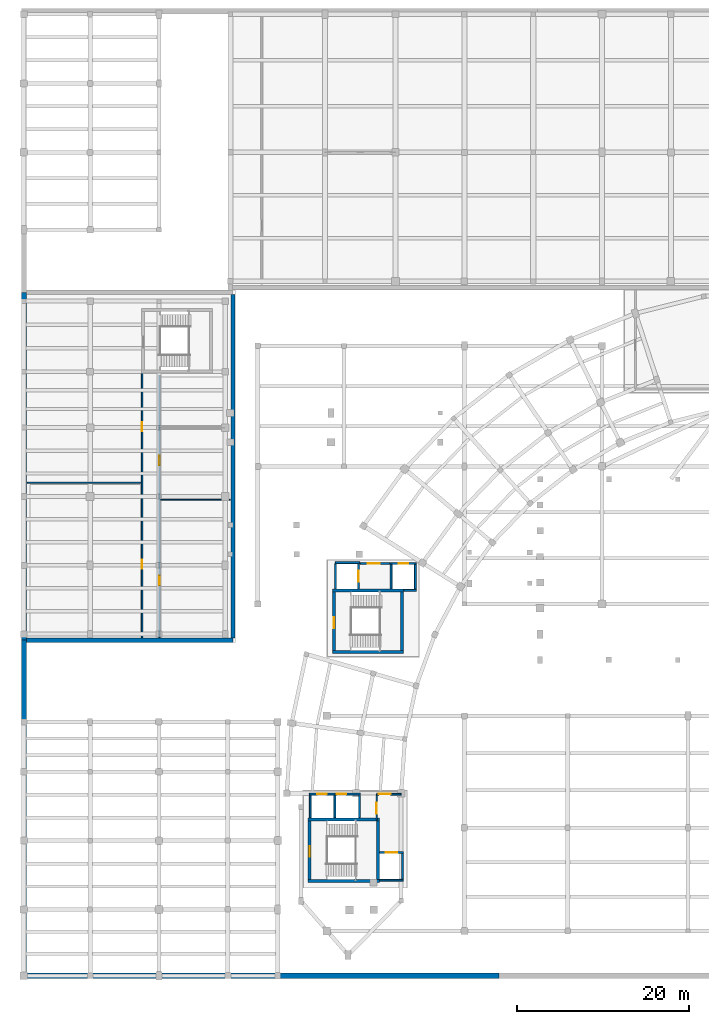
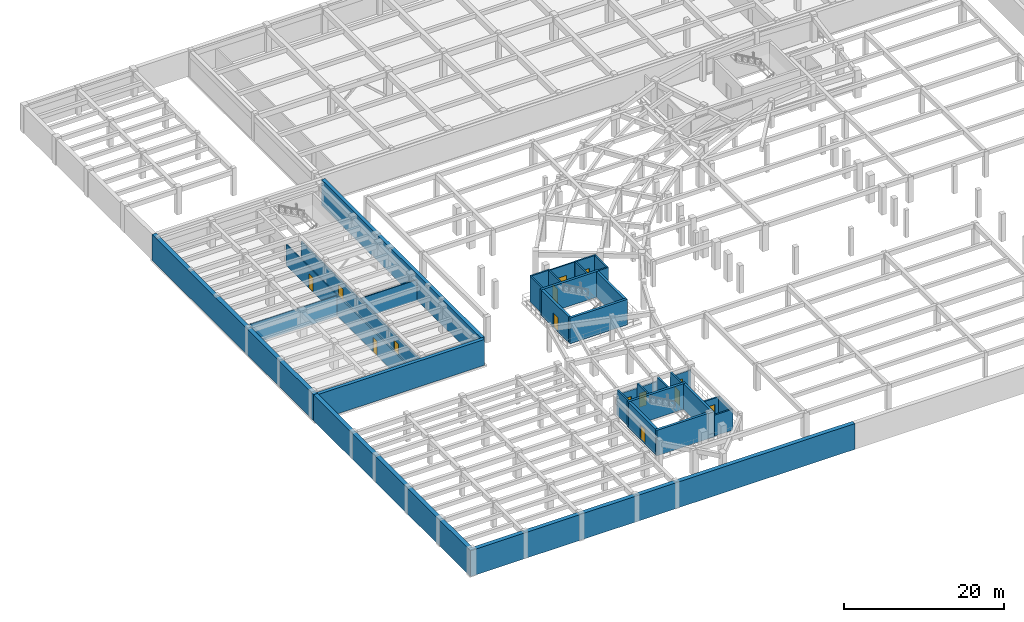
# One storey, part 21 of 35: 35 walls, 14 doors, 14 openings.
"""IFC4 building model written with IfcOpenShell, lengths in metres."""

from ifc_helpers import new_model, si_unit, direction, frame, frame_2d, origin, place, context, subcontext, project, spatial, rectangle, extrude, material, layer, layer_set, type_object, element, fill, save


model = new_model("IFC4")

# Units and contexts
model_context = context("Model", 3, precision=1e-05, world=origin(), true_north=direction((0.0, 1.0)))
body_context = subcontext(model_context, "Body", "Model", "MODEL_VIEW")
ifc_project = project(units=[si_unit("LENGTHUNIT", "METRE"), si_unit("AREAUNIT", "SQUARE_METRE"), si_unit("VOLUMEUNIT", "CUBIC_METRE"), si_unit("PLANEANGLEUNIT", "RADIAN"), si_unit("MASSUNIT", "GRAM", prefix="KILO"), si_unit("THERMODYNAMICTEMPERATUREUNIT", "KELVIN"), si_unit("POWERUNIT", "WATT")], contexts=[model_context])

# Site, building, storey
site_placement = place(None, origin())
site = spatial("IfcSite", under=ifc_project, at=site_placement, CompositionType="ELEMENT")
building_placement = place(site_placement, origin())
building = spatial("IfcBuilding", under=site, at=building_placement, Name="Solvatero Civic Police Headquarters", CompositionType="ELEMENT")
storey_placement = place(building_placement, frame((0.0, 0.0, -4.199951171875)))
storey = spatial("IfcBuildingStorey", under=building, at=storey_placement, Name="B01", CompositionType="ELEMENT", Elevation=-4.199951171875)

# Walls
ifc_material_1 = material(Name="Gypsum Double-Stud", Category="gypsum")
ifc_layer_1 = layer(ifc_material_1, 0.135009765625)
ifc_layer_set_1 = layer_set([ifc_layer_1], Name="Gypsum Double-Stud")
wall_type_1 = type_object("IfcWallType", Name="WL-PTN-135", PredefinedType="PARTITIONING", material=ifc_layer_set_1)
wall_1_placement = place(storey_placement, frame((5.199951171875, 62.10009765625, 0.0), z_axis=(0.0, 0.0, 1.0), x_axis=(1.0, 0.0, 0.0)))
element("IfcWall", 1, at=wall_1_placement, inside=storey, type_object=wall_type_1, Name="Interior Partition WLP-B01-EV-H1", PredefinedType="PARTITIONING", context=body_context, shape_type="SweptSolid", body=[
    extrude(rectangle(XDim=13.199951171875, YDim=0.135009765625, at=frame_2d((6.60009765625, 0.0))), origin(), (0.0, 0.0, 1.0), 3.137939453125),
])
wall_2_placement = place(storey_placement, frame((20.699951171875, 60.10009765625, 0.0), z_axis=(0.0, 0.0, 1.0), x_axis=(1.0, 0.0, 0.0)))
element("IfcWall", 2, at=wall_2_placement, inside=storey, type_object=wall_type_1, Name="Interior Partition WLP-B01-EV-H2", PredefinedType="PARTITIONING", context=body_context, shape_type="SweptSolid", body=[
    extrude(rectangle(XDim=8.10009765625, YDim=0.135009765625, at=frame_2d((4.050048828125, 0.0))), origin(), (0.0, 0.0, 1.0), 3.137939453125),
])

# Wall, openings, doors
ifc_material_2 = material(Name="Concrete Blockwork", Category="masonry")
ifc_layer_2 = layer(ifc_material_2, 0.1650390625)
ifc_layer_set_2 = layer_set([ifc_layer_2], Name="Concrete Blockwork")
wall_type_2 = type_object("IfcWallType", Name="WL-PTN-165", PredefinedType="PARTITIONING", material=ifc_layer_set_2)
wall_3_placement = place(storey_placement, frame((18.550048828125, 44.10009765625, 0.0), z_axis=(0.0, 0.0, 1.0), x_axis=(0.0, 1.0, 0.0)))
wall_3 = element("IfcWall", 3, at=wall_3_placement, inside=storey, type_object=wall_type_2, Name="Interior Partition WLP-B01-EV-W", PredefinedType="PARTITIONING", context=body_context, shape_type="SweptSolid", body=[
    extrude(rectangle(XDim=30.75, YDim=0.1650390625, at=frame_2d((15.375, 0.0))), origin(), (0.0, 0.0, 1.0), 3.18798828125),
])
opening_1_placement = place(wall_3_placement, frame((8.0, 0.0, 0.0)))
opening_1 = element("IfcOpeningElement", 4, at=opening_1_placement, cuts=wall_3, Name="Opening ID-06", PredefinedType="OPENING", context=body_context, shape_type="SweptSolid", body=[
    extrude(rectangle(XDim=1.02001953125, YDim=2.179931640625, at=frame_2d((0.510009765625, 1.08984375))), frame((0.0, 0.092529296875, 0.0), z_axis=(0.0, -1.0, 0.0), x_axis=(1.0, 0.0, 0.0)), (0.0, 0.0, 1.0), 0.18505859375),
])
opening_2_placement = place(wall_3_placement, frame((24.0, 0.0, 0.0)))
opening_2 = element("IfcOpeningElement", 5, at=opening_2_placement, cuts=wall_3, Name="Opening ID-07", PredefinedType="OPENING", context=body_context, shape_type="SweptSolid", body=[
    extrude(rectangle(XDim=1.050048828125, YDim=2.199951171875, at=frame_2d((0.52490234375, 1.10009765625))), frame((0.0, 0.092529296875, 0.0), z_axis=(0.0, -1.0, 0.0), x_axis=(1.0, 0.0, 0.0)), (0.0, 0.0, 1.0), 0.18505859375),
])
ifc_material_3 = material(Name="Powder-Coated Steel", Category="steel")
door_type_1 = type_object("IfcDoorType", Name="DR-LAB-102x218", OperationType="NOTDEFINED", PredefinedType="DOOR", material=ifc_material_3)
door_1_placement = place(opening_1_placement, origin())
door_1 = element("IfcDoor", 6, at=door_1_placement, inside=storey, type_object=door_type_1, Name="Interior Door DR-B01-EVIN", OperationType="SINGLE_SWING_LEFT", OverallHeight=2.179931640625, OverallWidth=1.02001953125, PredefinedType="DOOR", context=body_context, shape_type="SweptSolid", body=[
    extrude(rectangle(XDim=1.02001953125, YDim=2.179931640625, at=frame_2d((0.510009765625, 1.08984375))), frame((0.0, 0.02490234375, 0.0), z_axis=(0.0, -1.0, 0.0), x_axis=(1.0, 0.0, 0.0)), (0.0, 0.0, 1.0), 0.050048828125),
])
fill(opening_1, door_1)
door_type_2 = type_object("IfcDoorType", Name="DR-LAB-105x220", OperationType="NOTDEFINED", PredefinedType="DOOR", material=ifc_material_3)
door_2_placement = place(opening_2_placement, origin())
door_2 = element("IfcDoor", 7, at=door_2_placement, inside=storey, type_object=door_type_2, Name="Interior Door DR-B01-EVDR", OperationType="SINGLE_SWING_RIGHT", OverallHeight=2.199951171875, OverallWidth=1.050048828125, PredefinedType="DOOR", context=body_context, shape_type="SweptSolid", body=[
    extrude(rectangle(XDim=1.050048828125, YDim=2.199951171875, at=frame_2d((0.52490234375, 1.10009765625))), frame((0.0, 0.02490234375, 0.0), z_axis=(0.0, -1.0, 0.0), x_axis=(1.0, 0.0, 0.0)), (0.0, 0.0, 1.0), 0.050048828125),
])
fill(opening_2, door_2)

wall_4_placement = place(storey_placement, frame((20.550048828125, 44.10009765625, 0.0), z_axis=(0.0, 0.0, 1.0), x_axis=(0.0, 1.0, 0.0)))
wall_4 = element("IfcWall", 8, at=wall_4_placement, inside=storey, type_object=wall_type_2, Name="Interior Partition WLP-B01-EV-E", PredefinedType="PARTITIONING", context=body_context, shape_type="SweptSolid", body=[
    extrude(rectangle(XDim=30.5, YDim=0.1650390625, at=frame_2d((15.25, 0.0))), origin(), (0.0, 0.0, 1.0), 3.139892578125),
])
opening_3_placement = place(wall_4_placement, frame((6.10009765625, 0.0, 0.0)))
opening_3 = element("IfcOpeningElement", 9, at=opening_3_placement, cuts=wall_4, Name="Opening ID-08", PredefinedType="OPENING", context=body_context, shape_type="SweptSolid", body=[
    extrude(rectangle(XDim=1.080078125, YDim=2.219970703125, at=frame_2d((0.5400390625, 1.10986328125))), frame((0.0, 0.092529296875, 0.0), z_axis=(0.0, -1.0, 0.0), x_axis=(1.0, 0.0, 0.0)), (0.0, 0.0, 1.0), 0.18505859375),
])
opening_4_placement = place(wall_4_placement, frame((20.0, 0.0, 0.0)))
opening_4 = element("IfcOpeningElement", 10, at=opening_4_placement, cuts=wall_4, Name="Opening ID-09", PredefinedType="OPENING", context=body_context, shape_type="SweptSolid", body=[
    extrude(rectangle(XDim=1.1201171875, YDim=2.199951171875, at=frame_2d((0.56005859375, 1.10009765625))), frame((0.0, 0.092529296875, 0.0), z_axis=(0.0, -1.0, 0.0), x_axis=(1.0, 0.0, 0.0)), (0.0, 0.0, 1.0), 0.18505859375),
])
door_type_3 = type_object("IfcDoorType", Name="DR-LAB-108x222", OperationType="NOTDEFINED", PredefinedType="DOOR", material=ifc_material_3)
door_3_placement = place(opening_3_placement, origin())
door_3 = element("IfcDoor", 11, at=door_3_placement, inside=storey, type_object=door_type_3, Name="Interior Door DR-B01-ADIG", OperationType="SINGLE_SWING_LEFT", OverallHeight=2.219970703125, OverallWidth=1.080078125, PredefinedType="DOOR", context=body_context, shape_type="SweptSolid", body=[
    extrude(rectangle(XDim=1.080078125, YDim=2.219970703125, at=frame_2d((0.5400390625, 1.10986328125))), frame((0.0, 0.02490234375, 0.0), z_axis=(0.0, -1.0, 0.0), x_axis=(1.0, 0.0, 0.0)), (0.0, 0.0, 1.0), 0.050048828125),
])
fill(opening_3, door_3)
door_type_4 = type_object("IfcDoorType", Name="DR-PLT-112x220", OperationType="NOTDEFINED", PredefinedType="DOOR", material=ifc_material_3)
door_4_placement = place(opening_4_placement, origin())
door_4 = element("IfcDoor", 12, at=door_4_placement, inside=storey, type_object=door_type_4, Name="Interior Door DR-B01-UPS", OperationType="SINGLE_SWING_RIGHT", OverallHeight=2.199951171875, OverallWidth=1.1201171875, PredefinedType="DOOR", context=body_context, shape_type="SweptSolid", body=[
    extrude(rectangle(XDim=1.1201171875, YDim=2.199951171875, at=frame_2d((0.56005859375, 1.10009765625))), frame((0.0, 0.02490234375, 0.0), z_axis=(0.0, -1.0, 0.0), x_axis=(1.0, 0.0, 0.0)), (0.0, 0.0, 1.0), 0.050048828125),
])
fill(opening_4, door_4)

# Wall, opening, door
ifc_layer_3 = layer(ifc_material_2, 0.199951171875)
ifc_layer_set_3 = layer_set([ifc_layer_3], Name="Concrete Blockwork")
wall_type_3 = type_object("IfcWallType", Name="WL-PTN-200", PredefinedType="PARTITIONING", material=ifc_layer_set_3)
wall_5_placement = place(storey_placement, frame((45.800048828125, 22.89990234375, 0.0), z_axis=(0.0, 0.0, 1.0), x_axis=(0.0, 1.0, 0.0)))
wall_5 = element("IfcWall", 13, at=wall_5_placement, inside=storey, type_object=wall_type_3, Name="Interior Partition WLP-FFL-C1-B01-W", PredefinedType="PARTITIONING", context=body_context, shape_type="SweptSolid", body=[
    extrude(rectangle(XDim=3.0, YDim=0.199951171875, at=frame_2d((1.5, 0.0))), origin(), (0.0, 0.0, 1.0), 3.8798828125),
])
opening_5_placement = place(wall_5_placement, frame((0.75, 0.0, 0.0)))
opening_5 = element("IfcOpeningElement", 14, at=opening_5_placement, cuts=wall_5, Name="Opening FD-01", PredefinedType="OPENING", context=body_context, shape_type="SweptSolid", body=[
    extrude(rectangle(XDim=1.25, YDim=2.199951171875, at=frame_2d((0.625, 1.10009765625))), frame((0.0, 0.10986328125, 0.0), z_axis=(0.0, -1.0, 0.0), x_axis=(1.0, 0.0, 0.0)), (0.0, 0.0, 1.0), 0.219970703125),
])
door_type_5 = type_object("IfcDoorType", Name="DR-STR-125x220", OperationType="NOTDEFINED", PredefinedType="DOOR", material=ifc_material_3)
door_5_placement = place(opening_5_placement, origin())
door_5 = element("IfcDoor", 15, at=door_5_placement, inside=storey, type_object=door_type_5, Name="Interior Door DR-FFL-C1-B01-W", OperationType="SINGLE_SWING_LEFT", OverallHeight=2.199951171875, OverallWidth=1.25, PredefinedType="DOOR", context=body_context, shape_type="SweptSolid", body=[
    extrude(rectangle(XDim=1.25, YDim=2.199951171875, at=frame_2d((0.625, 1.10009765625))), frame((0.0, 0.02490234375, 0.0), z_axis=(0.0, -1.0, 0.0), x_axis=(1.0, 0.0, 0.0)), (0.0, 0.0, 1.0), 0.050048828125),
])
fill(opening_5, door_5)

wall_6_placement = place(storey_placement, frame((45.800048828125, 25.89990234375, 0.0), z_axis=(0.0, 0.0, 1.0), x_axis=(1.0, 0.0, 0.0)))
wall_6 = element("IfcWall", 16, at=wall_6_placement, inside=storey, type_object=wall_type_3, Name="Interior Partition WLP-FFL-C1-B01-N", PredefinedType="PARTITIONING", context=body_context, shape_type="SweptSolid", body=[
    extrude(rectangle(XDim=2.849853515625, YDim=0.199951171875, at=frame_2d((1.4248046875, 0.0))), origin(), (0.0, 0.0, 1.0), 3.18994140625),
])
opening_6_placement = place(wall_6_placement, frame((0.25, 0.0, 0.0)))
opening_6 = element("IfcOpeningElement", 17, at=opening_6_placement, cuts=wall_6, Name="Opening FD-02", PredefinedType="OPENING", context=body_context, shape_type="SweptSolid", body=[
    extrude(rectangle(XDim=1.39990234375, YDim=2.25, at=frame_2d((0.699951171875, 1.125))), frame((0.0, 0.10986328125, 0.0), z_axis=(0.0, -1.0, 0.0), x_axis=(1.0, 0.0, 0.0)), (0.0, 0.0, 1.0), 0.219970703125),
])
door_type_6 = type_object("IfcDoorType", Name="DR-LOB-140x225", OperationType="NOTDEFINED", PredefinedType="DOOR", material=ifc_material_3)
door_6_placement = place(opening_6_placement, origin())
door_6 = element("IfcDoor", 18, at=door_6_placement, inside=storey, type_object=door_type_6, Name="Interior Door DR-FFL-C1-B01-ACC", OperationType="DOUBLE_DOOR_SINGLE_SWING", OverallHeight=2.25, OverallWidth=1.39990234375, PredefinedType="DOOR", context=body_context, shape_type="SweptSolid", body=[
    extrude(rectangle(XDim=1.39990234375, YDim=2.25, at=frame_2d((0.699951171875, 1.125))), frame((0.0, 0.02490234375, 0.0), z_axis=(0.0, -1.0, 0.0), x_axis=(1.0, 0.0, 0.0)), (0.0, 0.0, 1.0), 0.050048828125),
])
fill(opening_6, door_6)

wall_7_placement = place(storey_placement, frame((43.89990234375, 52.699951171875, 0.0), z_axis=(0.0, 0.0, 1.0), x_axis=(1.0, 0.0, 0.0)))
wall_7 = element("IfcWall", 19, at=wall_7_placement, inside=storey, type_object=wall_type_3, Name="Interior Partition WLP-FFL-C2-B01-N", PredefinedType="PARTITIONING", context=body_context, shape_type="SweptSolid", body=[
    extrude(rectangle(XDim=3.400146484375, YDim=0.199951171875, at=frame_2d((1.7001953125, 0.0))), origin(), (0.0, 0.0, 1.0), 3.8798828125),
])
opening_7_placement = place(wall_7_placement, frame((0.85009765625, 0.0, 0.0)))
opening_7 = element("IfcOpeningElement", 20, at=opening_7_placement, cuts=wall_7, Name="Opening FD-02", PredefinedType="OPENING", context=body_context, shape_type="SweptSolid", body=[
    extrude(rectangle(XDim=1.39990234375, YDim=2.25, at=frame_2d((0.699951171875, 1.125))), frame((0.0, 0.10986328125, 0.0), z_axis=(0.0, -1.0, 0.0), x_axis=(1.0, 0.0, 0.0)), (0.0, 0.0, 1.0), 0.219970703125),
])
door_7_placement = place(opening_7_placement, origin())
door_7 = element("IfcDoor", 21, at=door_7_placement, inside=storey, type_object=door_type_6, Name="Interior Door DR-FFL-C2-B01-ACC", OperationType="DOUBLE_DOOR_SINGLE_SWING", OverallHeight=2.25, OverallWidth=1.39990234375, PredefinedType="DOOR", context=body_context, shape_type="SweptSolid", body=[
    extrude(rectangle(XDim=1.39990234375, YDim=2.25, at=frame_2d((0.699951171875, 1.125))), frame((0.0, 0.02490234375, 0.0), z_axis=(0.0, -1.0, 0.0), x_axis=(1.0, 0.0, 0.0)), (0.0, 0.0, 1.0), 0.050048828125),
])
fill(opening_7, door_7)

# Walls
ifc_material_4 = material(Name="Concrete C35/45", Category="concrete")
ifc_layer_4 = layer(ifc_material_4, 0.5)
ifc_layer_set_4 = layer_set([ifc_layer_4], Name="Concrete C35/45")
wall_type_4 = type_object("IfcWallType", Name="WL-RET-500", PredefinedType="USERDEFINED", material=ifc_layer_set_4)
wall_8_placement = place(storey_placement, frame((5.10009765625, 43.800048828125, 0.0), z_axis=(0.0, 0.0, 1.0), x_axis=(1.0, 0.0, 0.0)))
element("IfcWall", 22, at=wall_8_placement, inside=storey, type_object=wall_type_4, Name="B01 Watertight Tanked Retaining Wall RW-INT-WS", ObjectType="RETAINING WALL", PredefinedType="USERDEFINED", context=body_context, shape_type="SweptSolid", body=[
    extrude(rectangle(XDim=24.0, YDim=0.5, at=frame_2d((12.0, 0.0))), origin(), (0.0, 0.0, 1.0), 3.93994140625),
])
wall_9_placement = place(storey_placement, frame((29.10009765625, 44.050048828125, 0.0), z_axis=(0.0, 0.0, 1.0), x_axis=(0.0, 1.0, 0.0)))
element("IfcWall", 23, at=wall_9_placement, inside=storey, type_object=wall_type_4, Name="B01 Watertight Tanked Retaining Wall RW-INT-WE", ObjectType="RETAINING WALL", PredefinedType="USERDEFINED", context=body_context, shape_type="SweptSolid", body=[
    extrude(rectangle(XDim=39.89990234375, YDim=0.5, at=frame_2d((19.949951171875, 0.0))), origin(), (0.0, 0.0, 1.0), 3.93994140625),
])
ifc_layer_5 = layer(ifc_material_4, 0.60009765625)
ifc_layer_set_5 = layer_set([ifc_layer_5], Name="Concrete C35/45")
wall_type_5 = type_object("IfcWallType", Name="WL-RET-600", PredefinedType="USERDEFINED", material=ifc_layer_set_5)
wall_10_placement = place(storey_placement, frame((4.5, 4.800048828125, 0.0), z_axis=(0.0, 0.0, 1.0), x_axis=(1.0, 0.0, 0.0)))
element("IfcWall", 24, at=wall_10_placement, inside=storey, type_object=wall_type_5, Name="B01 Watertight Tanked Retaining Wall RW-PERIM-S1", ObjectType="RETAINING WALL", PredefinedType="USERDEFINED", context=body_context, shape_type="SweptSolid", body=[
    extrude(rectangle(XDim=55.5, YDim=0.60009765625, at=frame_2d((27.75, 0.0))), origin(), (0.0, 0.0, 1.0), 3.93994140625),
])
wall_11_placement = place(storey_placement, frame((4.800048828125, 5.10009765625, 0.0), z_axis=(0.0, 0.0, 1.0), x_axis=(0.0, 1.0, 0.0)))
element("IfcWall", 25, at=wall_11_placement, inside=storey, type_object=wall_type_5, Name="B01 Watertight Tanked Retaining Wall RW-PERIM-W1", ObjectType="RETAINING WALL", PredefinedType="USERDEFINED", context=body_context, shape_type="SweptSolid", body=[
    extrude(rectangle(XDim=38.699951171875, YDim=0.60009765625, at=frame_2d((19.35009765625, 0.0))), origin(), (0.0, 0.0, 1.0), 3.93994140625),
])
wall_12_placement = place(storey_placement, frame((4.800048828125, 43.800048828125, 0.0), z_axis=(0.0, 0.0, 1.0), x_axis=(0.0, 1.0, 0.0)))
element("IfcWall", 26, at=wall_12_placement, inside=storey, type_object=wall_type_5, Name="B01 Watertight Tanked Retaining Wall RW-PERIM-WW", ObjectType="RETAINING WALL", PredefinedType="USERDEFINED", context=body_context, shape_type="SweptSolid", body=[
    extrude(rectangle(XDim=40.39990234375, YDim=0.60009765625, at=frame_2d((20.199951171875, 0.0))), origin(), (0.0, 0.0, 1.0), 3.93994140625),
])
ifc_layer_6 = layer(ifc_material_4, 0.219970703125)
ifc_layer_set_6 = layer_set([ifc_layer_6], Name="Concrete C35/45")
wall_type_6 = type_object("IfcWallType", Name="WL-SHF-220", PredefinedType="PARTITIONING", material=ifc_layer_set_6)
wall_13_placement = place(storey_placement, frame((46.159912109375, 15.889892578125, 0.0), z_axis=(0.0, 0.0, 1.0), x_axis=(1.0, 0.0, 0.0)))
element("IfcWall", 27, at=wall_13_placement, inside=storey, type_object=wall_type_6, Name="Lift Shaft Wall WLS-FL-01-B01-S", PredefinedType="PARTITIONING", context=body_context, shape_type="SweptSolid", body=[
    extrude(rectangle(XDim=2.760009765625, YDim=0.219970703125, at=frame_2d((1.3798828125, 0.0))), origin(), (0.0, 0.0, 1.0), 3.18798828125),
])

# Wall, opening, door
wall_14_placement = place(storey_placement, frame((46.159912109375, 19.110107421875, 0.0), z_axis=(0.0, 0.0, 1.0), x_axis=(1.0, 0.0, 0.0)))
wall_14 = element("IfcWall", 28, at=wall_14_placement, inside=storey, type_object=wall_type_6, Name="Lift Shaft Wall WLS-FL-01-B01-N", PredefinedType="PARTITIONING", context=body_context, shape_type="SweptSolid", body=[
    extrude(rectangle(XDim=2.760009765625, YDim=0.219970703125, at=frame_2d((1.3798828125, 0.0))), origin(), (0.0, 0.0, 1.0), 3.18798828125),
])
opening_8_placement = place(wall_14_placement, frame((0.72998046875, 0.0, 0.0)))
opening_8 = element("IfcOpeningElement", 29, at=opening_8_placement, cuts=wall_14, Name="Opening LD-02", PredefinedType="OPENING", context=body_context, shape_type="SweptSolid", body=[
    extrude(rectangle(XDim=1.300048828125, YDim=2.199951171875, at=frame_2d((0.64990234375, 1.10009765625))), frame((0.0, 0.119873046875, 0.0), z_axis=(0.0, -1.0, 0.0), x_axis=(1.0, 0.0, 0.0)), (0.0, 0.0, 1.0), 0.239990234375),
])
ifc_material_5 = material(Name="Stainless Steel Grade 316", Category="steel")
door_type_7 = type_object("IfcDoorType", Name="DR-LFT-130x220", OperationType="DOUBLE_DOOR_SLIDING", PredefinedType="DOOR", material=ifc_material_5)
door_8_placement = place(opening_8_placement, origin())
door_8 = element("IfcDoor", 30, at=door_8_placement, inside=storey, type_object=door_type_7, Name="Interior Door DR-LFT-FL-01-B01", OperationType="DOUBLE_DOOR_SLIDING", OverallHeight=2.199951171875, OverallWidth=1.300048828125, PredefinedType="DOOR", context=body_context, shape_type="SweptSolid", body=[
    extrude(rectangle(XDim=1.300048828125, YDim=2.199951171875, at=frame_2d((0.64990234375, 1.10009765625))), frame((0.0, 0.02490234375, 0.0), z_axis=(0.0, -1.0, 0.0), x_axis=(1.0, 0.0, 0.0)), (0.0, 0.0, 1.0), 0.050048828125),
])
fill(opening_8, door_8)

# Wall
wall_15_placement = place(storey_placement, frame((48.81005859375, 16.0, 0.0), z_axis=(0.0, 0.0, 1.0), x_axis=(0.0, 1.0, 0.0)))
element("IfcWall", 31, at=wall_15_placement, inside=storey, type_object=wall_type_6, Name="Lift Shaft Wall WLS-FL-01-B01-E", PredefinedType="PARTITIONING", context=body_context, shape_type="SweptSolid", body=[
    extrude(rectangle(XDim=3.0, YDim=0.219970703125, at=frame_2d((1.5, 0.0))), origin(), (0.0, 0.0, 1.0), 3.18994140625),
])

# Wall, opening, door
wall_16_placement = place(storey_placement, frame((37.97998046875, 25.909912109375, 0.0), z_axis=(0.0, 0.0, 1.0), x_axis=(1.0, 0.0, 0.0)))
wall_16 = element("IfcWall", 32, at=wall_16_placement, inside=storey, type_object=wall_type_6, Name="Lift Shaft Wall WLS-LP-01-B01-N", PredefinedType="PARTITIONING", context=body_context, shape_type="SweptSolid", body=[
    extrude(rectangle(XDim=2.969970703125, YDim=0.219970703125, at=frame_2d((1.48486328125, 0.0))), origin(), (0.0, 0.0, 1.0), 3.139892578125),
])
opening_9_placement = place(wall_16_placement, frame((0.93505859375, 0.0, 0.0)))
opening_9 = element("IfcOpeningElement", 33, at=opening_9_placement, cuts=wall_16, Name="Opening LD-01", PredefinedType="OPENING", context=body_context, shape_type="SweptSolid", body=[
    extrude(rectangle(XDim=1.10009765625, YDim=2.14990234375, at=frame_2d((0.550048828125, 1.074951171875))), frame((0.0, 0.119873046875, 0.0), z_axis=(0.0, -1.0, 0.0), x_axis=(1.0, 0.0, 0.0)), (0.0, 0.0, 1.0), 0.239990234375),
])
door_type_8 = type_object("IfcDoorType", Name="DR-LFT-110x215", OperationType="DOUBLE_DOOR_SLIDING", PredefinedType="DOOR", material=ifc_material_5)
door_9_placement = place(opening_9_placement, origin())
door_9 = element("IfcDoor", 34, at=door_9_placement, inside=storey, type_object=door_type_8, Name="Interior Door DR-LFT-LP-01-B01", OperationType="DOUBLE_DOOR_SLIDING", OverallHeight=2.14990234375, OverallWidth=1.10009765625, PredefinedType="DOOR", context=body_context, shape_type="SweptSolid", body=[
    extrude(rectangle(XDim=1.10009765625, YDim=2.14990234375, at=frame_2d((0.550048828125, 1.074951171875))), frame((0.0, 0.02490234375, 0.0), z_axis=(0.0, -1.0, 0.0), x_axis=(1.0, 0.0, 0.0)), (0.0, 0.0, 1.0), 0.050048828125),
])
fill(opening_9, door_9)

# Walls
for number, where, z_axis, x_axis, name in (
    (35, (38.090087890625, 23.159912109375, 0.0), (0.0, 0.0, 1.0), (0.0, 1.0, 0.0), "Lift Shaft Wall WLS-LP-01-B01-W"),
    (36, (40.949951171875, 23.159912109375, 0.0), (0.0, 0.0, 1.0), (0.0, 1.0, 0.0), "Lift Shaft Wall WLS-LP-01-B01-E"),
):
    element("IfcWall", number, at=place(storey_placement, frame(where, z_axis=z_axis, x_axis=x_axis)), inside=storey, type_object=wall_type_6, Name=name, PredefinedType="PARTITIONING", context=body_context, shape_type="SweptSolid", body=[
        extrude(rectangle(XDim=2.64013671875, YDim=0.219970703125, at=frame_2d((1.320068359375, 0.0))), origin(), (0.0, 0.0, 1.0), 3.8798828125),
    ])

# Wall, opening, door
wall_17_placement = place(storey_placement, frame((40.949951171875, 25.909912109375, 0.0), z_axis=(0.0, 0.0, 1.0), x_axis=(1.0, 0.0, 0.0)))
wall_17 = element("IfcWall", 37, at=wall_17_placement, inside=storey, type_object=wall_type_6, Name="Lift Shaft Wall WLS-LP-02-B01-N", PredefinedType="PARTITIONING", context=body_context, shape_type="SweptSolid", body=[
    extrude(rectangle(XDim=2.969970703125, YDim=0.219970703125, at=frame_2d((1.48486328125, 0.0))), origin(), (0.0, 0.0, 1.0), 3.139892578125),
])
opening_10_placement = place(wall_17_placement, frame((0.239990234375, 0.0, 0.0)))
opening_10 = element("IfcOpeningElement", 38, at=opening_10_placement, cuts=wall_17, Name="Opening LD-01", PredefinedType="OPENING", context=body_context, shape_type="SweptSolid", body=[
    extrude(rectangle(XDim=1.10009765625, YDim=2.14990234375, at=frame_2d((0.550048828125, 1.074951171875))), frame((0.0, 0.119873046875, 0.0), z_axis=(0.0, -1.0, 0.0), x_axis=(1.0, 0.0, 0.0)), (0.0, 0.0, 1.0), 0.239990234375),
])
door_10_placement = place(opening_10_placement, origin())
door_10 = element("IfcDoor", 39, at=door_10_placement, inside=storey, type_object=door_type_8, Name="Interior Door DR-LFT-LP-02-B01", OperationType="DOUBLE_DOOR_SLIDING", OverallHeight=2.14990234375, OverallWidth=1.10009765625, PredefinedType="DOOR", context=body_context, shape_type="SweptSolid", body=[
    extrude(rectangle(XDim=1.10009765625, YDim=2.14990234375, at=frame_2d((0.550048828125, 1.074951171875))), frame((0.0, 0.02490234375, 0.0), z_axis=(0.0, -1.0, 0.0), x_axis=(1.0, 0.0, 0.0)), (0.0, 0.0, 1.0), 0.050048828125),
])
fill(opening_10, door_10)

# Walls
wall_18_placement = place(storey_placement, frame((43.81005859375, 23.159912109375, 0.0), z_axis=(0.0, 0.0, 1.0), x_axis=(0.0, 1.0, 0.0)))
element("IfcWall", 40, at=wall_18_placement, inside=storey, type_object=wall_type_6, Name="Lift Shaft Wall WLS-LP-02-B01-E", PredefinedType="PARTITIONING", context=body_context, shape_type="SweptSolid", body=[
    extrude(rectangle(XDim=2.64013671875, YDim=0.219970703125, at=frame_2d((1.320068359375, 0.0))), origin(), (0.0, 0.0, 1.0), 3.8798828125),
])
wall_19_placement = place(storey_placement, frame((41.02001953125, 52.81005859375, 0.0), z_axis=(0.0, 0.0, 1.0), x_axis=(1.0, 0.0, 0.0)))
element("IfcWall", 41, at=wall_19_placement, inside=storey, type_object=wall_type_6, Name="Lift Shaft Wall WLS-FL-02-B01-N", PredefinedType="PARTITIONING", context=body_context, shape_type="SweptSolid", body=[
    extrude(rectangle(XDim=2.800048828125, YDim=0.219970703125, at=frame_2d((1.39990234375, 0.0))), origin(), (0.0, 0.0, 1.0), 3.8798828125),
])
wall_20_placement = place(storey_placement, frame((41.02001953125, 49.760009765625, 0.0), z_axis=(0.0, 0.0, 1.0), x_axis=(0.0, 1.0, 0.0)))
element("IfcWall", 42, at=wall_20_placement, inside=storey, type_object=wall_type_6, Name="Lift Shaft Wall WLS-FL-02-B01-W", PredefinedType="PARTITIONING", context=body_context, shape_type="SweptSolid", body=[
    extrude(rectangle(XDim=2.93994140625, YDim=0.219970703125, at=frame_2d((1.469970703125, 0.0))), origin(), (0.0, 0.0, 1.0), 3.8798828125),
])

# Wall, opening, door
wall_21_placement = place(storey_placement, frame((43.7099609375, 49.760009765625, 0.0), z_axis=(0.0, 0.0, 1.0), x_axis=(0.0, 1.0, 0.0)))
wall_21 = element("IfcWall", 43, at=wall_21_placement, inside=storey, type_object=wall_type_6, Name="Lift Shaft Wall WLS-FL-02-B01-E", PredefinedType="PARTITIONING", context=body_context, shape_type="SweptSolid", body=[
    extrude(rectangle(XDim=2.93994140625, YDim=0.219970703125, at=frame_2d((1.469970703125, 0.0))), origin(), (0.0, 0.0, 1.0), 3.8798828125),
])
opening_11_placement = place(wall_21_placement, frame((0.820068359375, 0.0, 0.0)))
opening_11 = element("IfcOpeningElement", 44, at=opening_11_placement, cuts=wall_21, Name="Opening LD-02", PredefinedType="OPENING", context=body_context, shape_type="SweptSolid", body=[
    extrude(rectangle(XDim=1.300048828125, YDim=2.199951171875, at=frame_2d((0.64990234375, 1.10009765625))), frame((0.0, 0.119873046875, 0.0), z_axis=(0.0, -1.0, 0.0), x_axis=(1.0, 0.0, 0.0)), (0.0, 0.0, 1.0), 0.239990234375),
])
door_11_placement = place(opening_11_placement, origin())
door_11 = element("IfcDoor", 45, at=door_11_placement, inside=storey, type_object=door_type_7, Name="Interior Door DR-LFT-FL-02-B01", OperationType="DOUBLE_DOOR_SLIDING", OverallHeight=2.199951171875, OverallWidth=1.300048828125, PredefinedType="DOOR", context=body_context, shape_type="SweptSolid", body=[
    extrude(rectangle(XDim=1.300048828125, YDim=2.199951171875, at=frame_2d((0.64990234375, 1.10009765625))), frame((0.0, 0.02490234375, 0.0), z_axis=(0.0, -1.0, 0.0), x_axis=(1.0, 0.0, 0.0)), (0.0, 0.0, 1.0), 0.050048828125),
])
fill(opening_11, door_11)

# Wall
wall_22_placement = place(storey_placement, frame((48.9599609375, 49.590087890625, 0.0), z_axis=(0.0, 0.0, 1.0), x_axis=(1.0, 0.0, 0.0)))
element("IfcWall", 46, at=wall_22_placement, inside=storey, type_object=wall_type_6, Name="Lift Shaft Wall WLS-LP-03-B01-S", PredefinedType="PARTITIONING", context=body_context, shape_type="SweptSolid", body=[
    extrude(rectangle(XDim=1.4599609375, YDim=0.219970703125, at=frame_2d((0.72998046875, 0.0))), origin(), (0.0, 0.0, 1.0), 3.8798828125),
])

# Wall, opening, door
wall_23_placement = place(storey_placement, frame((47.3798828125, 52.7099609375, 0.0), z_axis=(0.0, 0.0, 1.0), x_axis=(1.0, 0.0, 0.0)))
wall_23 = element("IfcWall", 47, at=wall_23_placement, inside=storey, type_object=wall_type_6, Name="Lift Shaft Wall WLS-LP-03-B01-N", PredefinedType="PARTITIONING", context=body_context, shape_type="SweptSolid", body=[
    extrude(rectangle(XDim=3.0400390625, YDim=0.219970703125, at=frame_2d((1.52001953125, 0.0))), origin(), (0.0, 0.0, 1.0), 3.8798828125),
])
opening_12_placement = place(wall_23_placement, frame((0.969970703125, 0.0, 0.0)))
opening_12 = element("IfcOpeningElement", 48, at=opening_12_placement, cuts=wall_23, Name="Opening LD-01", PredefinedType="OPENING", context=body_context, shape_type="SweptSolid", body=[
    extrude(rectangle(XDim=1.10009765625, YDim=2.14990234375, at=frame_2d((0.550048828125, 1.074951171875))), frame((0.0, 0.119873046875, 0.0), z_axis=(0.0, -1.0, 0.0), x_axis=(1.0, 0.0, 0.0)), (0.0, 0.0, 1.0), 0.239990234375),
])
door_12_placement = place(opening_12_placement, origin())
door_12 = element("IfcDoor", 49, at=door_12_placement, inside=storey, type_object=door_type_8, Name="Interior Door DR-LFT-LP-03-B01", OperationType="DOUBLE_DOOR_SLIDING", OverallHeight=2.14990234375, OverallWidth=1.10009765625, PredefinedType="DOOR", context=body_context, shape_type="SweptSolid", body=[
    extrude(rectangle(XDim=1.10009765625, YDim=2.14990234375, at=frame_2d((0.550048828125, 1.074951171875))), frame((0.0, 0.02490234375, 0.0), z_axis=(0.0, -1.0, 0.0), x_axis=(1.0, 0.0, 0.0)), (0.0, 0.0, 1.0), 0.050048828125),
])
fill(opening_12, door_12)

# Walls
wall_24_placement = place(storey_placement, frame((47.489990234375, 49.760009765625, 0.0), z_axis=(0.0, 0.0, 1.0), x_axis=(0.0, 1.0, 0.0)))
element("IfcWall", 50, at=wall_24_placement, inside=storey, type_object=wall_type_6, Name="Lift Shaft Wall WLS-LP-03-B01-W", PredefinedType="PARTITIONING", context=body_context, shape_type="SweptSolid", body=[
    extrude(rectangle(XDim=2.840087890625, YDim=0.219970703125, at=frame_2d((1.419921875, 0.0))), origin(), (0.0, 0.0, 1.0), 3.8798828125),
])
wall_25_placement = place(storey_placement, frame((50.31005859375, 49.699951171875, 0.0), z_axis=(0.0, 0.0, 1.0), x_axis=(0.0, 1.0, 0.0)))
element("IfcWall", 51, at=wall_25_placement, inside=storey, type_object=wall_type_6, Name="Lift Shaft Wall WLS-LP-03-B01-E", PredefinedType="PARTITIONING", context=body_context, shape_type="SweptSolid", body=[
    extrude(rectangle(XDim=2.900146484375, YDim=0.219970703125, at=frame_2d((1.4501953125, 0.0))), origin(), (0.0, 0.0, 1.0), 3.8798828125),
])
ifc_material_6 = material(Name="Concrete C40/50", Category="concrete")
ifc_layer_7 = layer(ifc_material_6, 0.35009765625)
ifc_layer_set_7 = layer_set([ifc_layer_7], Name="Concrete C40/50")
wall_type_7 = type_object("IfcWallType", Name="WL-SHR-350", PredefinedType="SHEAR", material=ifc_layer_set_7)
for number, where, z_axis, x_axis, name in (
    (52, (37.85009765625, 15.824951171875, 0.0), (0.0, 0.0, 1.0), (1.0, 0.0, 0.0), "Core C1 Shear Wall S B01"),
    (53, (37.85009765625, 22.97509765625, 0.0), (0.0, 0.0, 1.0), (1.0, 0.0, 0.0), "Core C1 Shear Wall N B01"),
):
    element("IfcWall", number, at=place(storey_placement, frame(where, z_axis=z_axis, x_axis=x_axis)), inside=storey, type_object=wall_type_7, Name=name, PredefinedType="SHEAR", context=body_context, shape_type="SweptSolid", body=[
        extrude(rectangle(XDim=8.2998046875, YDim=0.35009765625, at=frame_2d((4.14990234375, 0.0))), origin(), (0.0, 0.0, 1.0), 3.89990234375),
    ])

# Wall, opening, door
wall_26_placement = place(storey_placement, frame((38.02490234375, 16.0, 0.0), z_axis=(0.0, 0.0, 1.0), x_axis=(0.0, 1.0, 0.0)))
wall_26 = element("IfcWall", 54, at=wall_26_placement, inside=storey, type_object=wall_type_7, Name="Core C1 Shear Wall W B01", PredefinedType="SHEAR", context=body_context, shape_type="SweptSolid", body=[
    extrude(rectangle(XDim=6.800048828125, YDim=0.35009765625, at=frame_2d((3.39990234375, 0.0))), origin(), (0.0, 0.0, 1.0), 3.89990234375),
])
opening_13_placement = place(wall_26_placement, frame((2.60009765625, 0.0, 0.0)))
opening_13 = element("IfcOpeningElement", 55, at=opening_13_placement, cuts=wall_26, Name="Opening FD-01", PredefinedType="OPENING", context=body_context, shape_type="SweptSolid", body=[
    extrude(rectangle(XDim=1.25, YDim=2.199951171875, at=frame_2d((0.625, 1.10009765625))), frame((0.0, 0.18505859375, 0.0), z_axis=(0.0, -1.0, 0.0), x_axis=(1.0, 0.0, 0.0)), (0.0, 0.0, 1.0), 0.3701171875),
])
door_13_placement = place(opening_13_placement, origin())
door_13 = element("IfcDoor", 56, at=door_13_placement, inside=storey, type_object=door_type_5, Name="Interior Door DR-STR-C1-B01", OperationType="SINGLE_SWING_LEFT", OverallHeight=2.199951171875, OverallWidth=1.25, PredefinedType="DOOR", context=body_context, shape_type="SweptSolid", body=[
    extrude(rectangle(XDim=1.25, YDim=2.199951171875, at=frame_2d((0.625, 1.10009765625))), frame((0.0, 0.02490234375, 0.0), z_axis=(0.0, -1.0, 0.0), x_axis=(1.0, 0.0, 0.0)), (0.0, 0.0, 1.0), 0.050048828125),
])
fill(opening_13, door_13)

# Walls
wall_27_placement = place(storey_placement, frame((45.97509765625, 16.0, 0.0), z_axis=(0.0, 0.0, 1.0), x_axis=(0.0, 1.0, 0.0)))
element("IfcWall", 57, at=wall_27_placement, inside=storey, type_object=wall_type_7, Name="Core C1 Shear Wall E B01", PredefinedType="SHEAR", context=body_context, shape_type="SweptSolid", body=[
    extrude(rectangle(XDim=6.800048828125, YDim=0.35009765625, at=frame_2d((3.39990234375, 0.0))), origin(), (0.0, 0.0, 1.0), 3.89990234375),
])
for number, where, z_axis, x_axis, name in (
    (58, (40.64990234375, 42.425048828125, 0.0), (0.0, 0.0, 1.0), (1.0, 0.0, 0.0), "Core C2 Shear Wall S B01"),
    (59, (40.64990234375, 49.574951171875, 0.0), (0.0, 0.0, 1.0), (1.0, 0.0, 0.0), "Core C2 Shear Wall N B01"),
):
    element("IfcWall", number, at=place(storey_placement, frame(where, z_axis=z_axis, x_axis=x_axis)), inside=storey, type_object=wall_type_7, Name=name, PredefinedType="SHEAR", context=body_context, shape_type="SweptSolid", body=[
        extrude(rectangle(XDim=8.300048828125, YDim=0.35009765625, at=frame_2d((4.14990234375, 0.0))), origin(), (0.0, 0.0, 1.0), 3.89990234375),
    ])

# Wall, opening, door
wall_28_placement = place(storey_placement, frame((40.824951171875, 42.60009765625, 0.0), z_axis=(0.0, 0.0, 1.0), x_axis=(0.0, 1.0, 0.0)))
wall_28 = element("IfcWall", 60, at=wall_28_placement, inside=storey, type_object=wall_type_7, Name="Core C2 Shear Wall W B01", PredefinedType="SHEAR", context=body_context, shape_type="SweptSolid", body=[
    extrude(rectangle(XDim=6.7998046875, YDim=0.35009765625, at=frame_2d((3.39990234375, 0.0))), origin(), (0.0, 0.0, 1.0), 3.89990234375),
])
opening_14_placement = place(wall_28_placement, frame((2.60009765625, 0.0, 0.0)))
opening_14 = element("IfcOpeningElement", 61, at=opening_14_placement, cuts=wall_28, Name="Opening FD-01", PredefinedType="OPENING", context=body_context, shape_type="SweptSolid", body=[
    extrude(rectangle(XDim=1.25, YDim=2.199951171875, at=frame_2d((0.625, 1.10009765625))), frame((0.0, 0.18505859375, 0.0), z_axis=(0.0, -1.0, 0.0), x_axis=(1.0, 0.0, 0.0)), (0.0, 0.0, 1.0), 0.3701171875),
])
door_14_placement = place(opening_14_placement, origin())
door_14 = element("IfcDoor", 62, at=door_14_placement, inside=storey, type_object=door_type_5, Name="Interior Door DR-STR-C2-B01", OperationType="SINGLE_SWING_LEFT", OverallHeight=2.199951171875, OverallWidth=1.25, PredefinedType="DOOR", context=body_context, shape_type="SweptSolid", body=[
    extrude(rectangle(XDim=1.25, YDim=2.199951171875, at=frame_2d((0.625, 1.10009765625))), frame((0.0, 0.02490234375, 0.0), z_axis=(0.0, -1.0, 0.0), x_axis=(1.0, 0.0, 0.0)), (0.0, 0.0, 1.0), 0.050048828125),
])
fill(opening_14, door_14)

# Wall
wall_29_placement = place(storey_placement, frame((48.77490234375, 42.60009765625, 0.0), z_axis=(0.0, 0.0, 1.0), x_axis=(0.0, 1.0, 0.0)))
element("IfcWall", 63, at=wall_29_placement, inside=storey, type_object=wall_type_7, Name="Core C2 Shear Wall E B01", PredefinedType="SHEAR", context=body_context, shape_type="SweptSolid", body=[
    extrude(rectangle(XDim=6.7998046875, YDim=0.35009765625, at=frame_2d((3.39990234375, 0.0))), origin(), (0.0, 0.0, 1.0), 3.89990234375),
])

save(model, "model.ifc")
